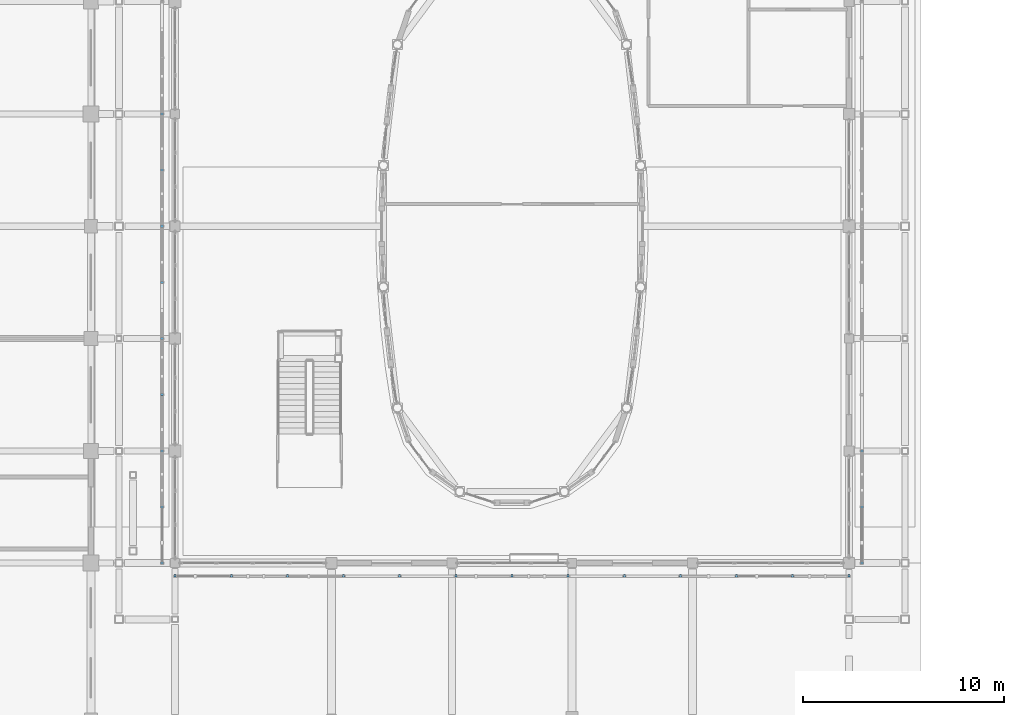
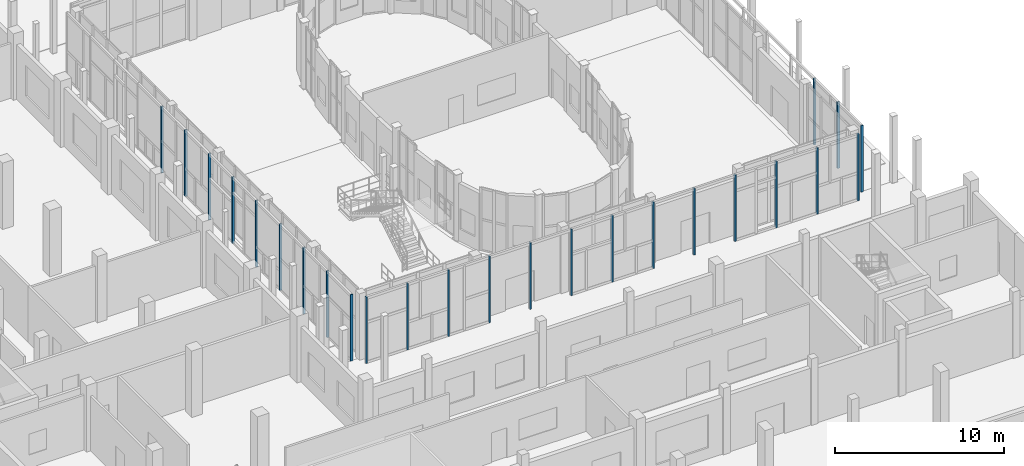
# One storey, part 80 of 91: 25 discrete accessories.
"""IFC4 building model written with IfcOpenShell, lengths in metres."""

from ifc_helpers import new_model, si_unit, direction, frame, origin, origin_2d, place, context, subcontext, project, spatial, rectangle, extrude, material, type_object, element, save


model = new_model("IFC4")

# Units and contexts
model_context = context("Model", 3, precision=1e-05, world=origin(), true_north=direction((0.0, 1.0)))
body_context = subcontext(model_context, "Body", "Model", "MODEL_VIEW")
ifc_project = project(units=[si_unit("LENGTHUNIT", "METRE"), si_unit("AREAUNIT", "SQUARE_METRE"), si_unit("VOLUMEUNIT", "CUBIC_METRE"), si_unit("PLANEANGLEUNIT", "RADIAN"), si_unit("MASSUNIT", "GRAM", prefix="KILO")], contexts=[model_context])

# Site, building, storey
site_placement = place(None, origin())
site = spatial("IfcSite", under=ifc_project, at=site_placement, CompositionType="ELEMENT")
building_placement = place(site_placement, origin())
building = spatial("IfcBuilding", under=site, at=building_placement, Name="Vinh Khe Railworks Police Headquarters", CompositionType="ELEMENT")
storey_placement = place(building_placement, origin())
storey = spatial("IfcBuildingStorey", under=building, at=storey_placement, Name="L00", CompositionType="ELEMENT", Elevation=0.0)

# Discrete accessories
ifc_material = material(Name="Steel S355JR", Category="steel")
discrete_accessory_type = type_object("IfcDiscreteAccessoryType", Name="SCR-MULL-RHS150", PredefinedType="BRACKET", material=ifc_material)
for number, where, z_axis, x_axis, name in (
    (1, (26.39990234375, 24.550048828125, 0.0), (0.0, 0.0, 1.0), (1.0, 0.0, 0.0), "Patchwork Screen Vertical Support Channel S-1 L00"),
    (2, (29.199951171875, 24.550048828125, 0.0), (0.0, 0.0, 1.0), (1.0, 0.0, 0.0), "Patchwork Screen Vertical Support Channel S-2 L00"),
    (3, (32.0, 24.550048828125, 0.0), (0.0, 0.0, 1.0), (1.0, 0.0, 0.0), "Patchwork Screen Vertical Support Channel S-3 L00"),
    (4, (34.800048828125, 24.550048828125, 0.0), (0.0, 0.0, 1.0), (1.0, 0.0, 0.0), "Patchwork Screen Vertical Support Channel S-4 L00"),
    (5, (37.60009765625, 24.550048828125, 0.0), (0.0, 0.0, 1.0), (1.0, 0.0, 0.0), "Patchwork Screen Vertical Support Channel S-5 L00"),
    (6, (40.39990234375, 24.550048828125, 0.0), (0.0, 0.0, 1.0), (1.0, 0.0, 0.0), "Patchwork Screen Vertical Support Channel S-6 L00"),
    (7, (43.199951171875, 24.550048828125, 0.0), (0.0, 0.0, 1.0), (1.0, 0.0, 0.0), "Patchwork Screen Vertical Support Channel S-7 L00"),
    (8, (46.0, 24.550048828125, 0.0), (0.0, 0.0, 1.0), (1.0, 0.0, 0.0), "Patchwork Screen Vertical Support Channel S-8 L00"),
    (9, (48.800048828125, 24.550048828125, 0.0), (0.0, 0.0, 1.0), (1.0, 0.0, 0.0), "Patchwork Screen Vertical Support Channel S-9 L00"),
    (10, (51.60009765625, 24.550048828125, 0.0), (0.0, 0.0, 1.0), (1.0, 0.0, 0.0), "Patchwork Screen Vertical Support Channel S-10 L00"),
    (11, (54.39990234375, 24.550048828125, 0.0), (0.0, 0.0, 1.0), (1.0, 0.0, 0.0), "Patchwork Screen Vertical Support Channel S-11 L00"),
    (12, (57.199951171875, 24.550048828125, 0.0), (0.0, 0.0, 1.0), (1.0, 0.0, 0.0), "Patchwork Screen Vertical Support Channel S-12 L00"),
    (13, (60.0, 24.550048828125, 0.0), (0.0, 0.0, 1.0), (1.0, 0.0, 0.0), "Patchwork Screen Vertical Support Channel S-13 L00"),
):
    element("IfcDiscreteAccessory", number, at=place(storey_placement, frame(where, z_axis=z_axis, x_axis=x_axis)), inside=storey, type_object=discrete_accessory_type, Name=name, PredefinedType="BRACKET", context=body_context, shape_type="SweptSolid", body=[
        extrude(rectangle(XDim=0.10009765625, YDim=0.14990234375, at=origin_2d()), origin(), (0.0, 0.0, 1.0), 4.800048828125),
    ])
for number, where, z_axis, x_axis, name in (
    (14, (60.64990234375, 25.199951171875, 0.0), (0.0, 0.0, 1.0), (1.0, 0.0, 0.0), "Patchwork Screen Vertical Support Channel E-1 L00"),
    (15, (60.64990234375, 28.0, 0.0), (0.0, 0.0, 1.0), (1.0, 0.0, 0.0), "Patchwork Screen Vertical Support Channel E-2 L00"),
    (16, (60.64990234375, 30.800048828125, 0.0), (0.0, 0.0, 1.0), (1.0, 0.0, 0.0), "Patchwork Screen Vertical Support Channel E-3 L00"),
    (17, (25.75, 25.199951171875, 0.0), (0.0, 0.0, 1.0), (1.0, 0.0, 0.0), "Patchwork Screen Vertical Support Channel W-1 L00"),
    (18, (25.75, 28.0, 0.0), (0.0, 0.0, 1.0), (1.0, 0.0, 0.0), "Patchwork Screen Vertical Support Channel W-2 L00"),
    (19, (25.75, 30.800048828125, 0.0), (0.0, 0.0, 1.0), (1.0, 0.0, 0.0), "Patchwork Screen Vertical Support Channel W-3 L00"),
    (20, (25.75, 33.60009765625, 0.0), (0.0, 0.0, 1.0), (1.0, 0.0, 0.0), "Patchwork Screen Vertical Support Channel W-4 L00"),
    (21, (25.75, 36.39990234375, 0.0), (0.0, 0.0, 1.0), (1.0, 0.0, 0.0), "Patchwork Screen Vertical Support Channel W-5 L00"),
    (22, (25.75, 39.199951171875, 0.0), (0.0, 0.0, 1.0), (1.0, 0.0, 0.0), "Patchwork Screen Vertical Support Channel W-6 L00"),
    (23, (25.75, 42.0, 0.0), (0.0, 0.0, 1.0), (1.0, 0.0, 0.0), "Patchwork Screen Vertical Support Channel W-7 L00"),
    (24, (25.75, 44.800048828125, 0.0), (0.0, 0.0, 1.0), (1.0, 0.0, 0.0), "Patchwork Screen Vertical Support Channel W-8 L00"),
    (25, (25.75, 47.60009765625, 0.0), (0.0, 0.0, 1.0), (1.0, 0.0, 0.0), "Patchwork Screen Vertical Support Channel W-9 L00"),
):
    element("IfcDiscreteAccessory", number, at=place(storey_placement, frame(where, z_axis=z_axis, x_axis=x_axis)), inside=storey, type_object=discrete_accessory_type, Name=name, PredefinedType="BRACKET", context=body_context, shape_type="SweptSolid", body=[
        extrude(rectangle(XDim=0.14990234375, YDim=0.10009765625, at=origin_2d()), origin(), (0.0, 0.0, 1.0), 4.800048828125),
    ])

save(model, "model.ifc")
